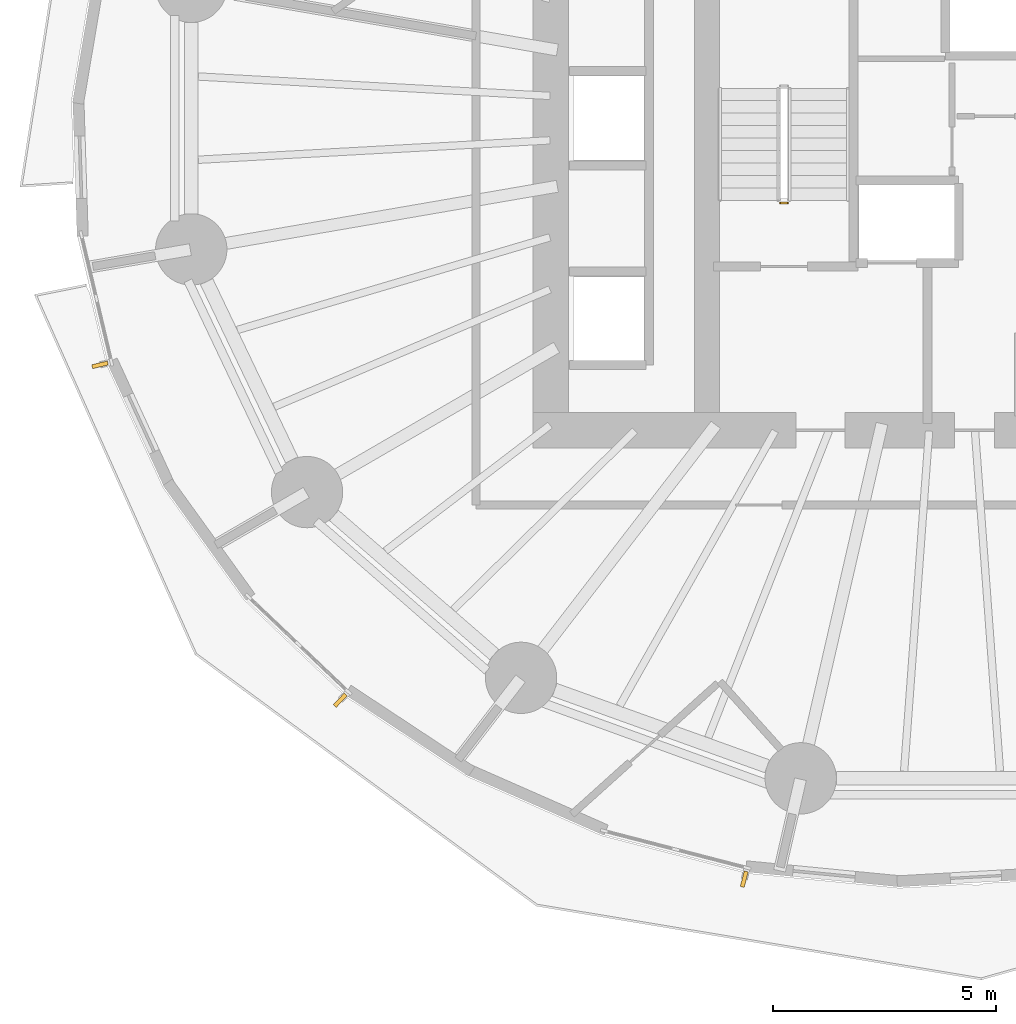
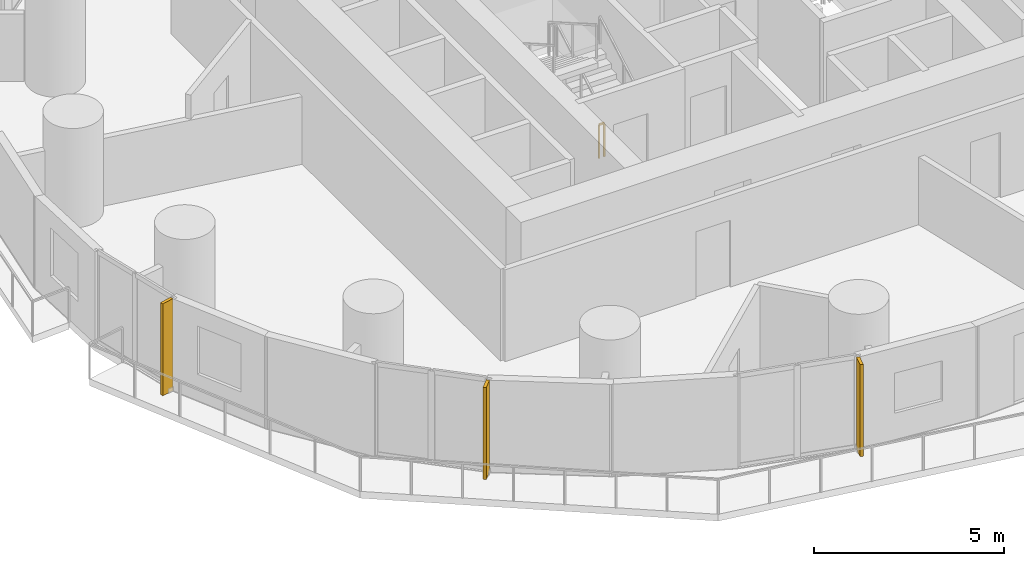
# One storey, part 11 of 14: 3 shading devices, 1 railing.
"""IFC4 building model written with IfcOpenShell, lengths in metres."""

from ifc_helpers import new_model, si_unit, direction, frame, origin, origin_2d, place, context, subcontext, project, spatial, rectangle, extrude, material, layer, layer_set, type_object, element, save


model = new_model("IFC4")

# Units and contexts
model_context = context("Model", 3, precision=1e-05, world=origin(), true_north=direction((0.0, 1.0)))
body_context = subcontext(model_context, "Body", "Model", "MODEL_VIEW")
ifc_project = project(units=[si_unit("LENGTHUNIT", "METRE"), si_unit("AREAUNIT", "SQUARE_METRE"), si_unit("VOLUMEUNIT", "CUBIC_METRE"), si_unit("PLANEANGLEUNIT", "RADIAN"), si_unit("MASSUNIT", "GRAM", prefix="KILO")], contexts=[model_context])

# Site, building, storey
site_placement = place(None, origin())
site = spatial("IfcSite", under=ifc_project, at=site_placement, CompositionType="ELEMENT")
building_placement = place(site_placement, origin())
building = spatial("IfcBuilding", under=site, at=building_placement, Name="Veldorim Arch Residences", CompositionType="ELEMENT")
storey_placement = place(building_placement, frame((0.0, 0.0, 40.800048828125)))
storey = spatial("IfcBuildingStorey", under=building, at=storey_placement, Name="L11", CompositionType="ELEMENT", Elevation=40.800048828125)

# Railing
ifc_material_1 = material(Name="Steel S355", Category="steel")
railing_type = type_object("IfcRailingType", Name="Galvanised Steel Stair Safety Guardrail 1100", PredefinedType="GUARDRAIL", material=ifc_material_1)
railing_placement = place(storey_placement, frame((28.31005859375, 22.10009765625, 0.0)))
element("IfcRailing", 1, at=railing_placement, inside=storey, type_object=railing_type, Name="L11 ST-1 stair guard 4", PredefinedType="GUARDRAIL", context=body_context, shape_type="SweptSolid", body=[
    extrude(rectangle(XDim=0.048095703125, YDim=0.048095703125, at=origin_2d()), frame((0.0, 0.0, 1.076171875), z_axis=(-1.0, 0.0, 0.0), x_axis=(0.0, -1.0, 0.0)), (0.0, 0.0, 1.0), 0.16015625),
    extrude(rectangle(XDim=0.0419921875, YDim=0.0419921875, at=origin_2d()), origin(), (0.0, 0.0, 1.0), 1.052001953125),
    extrude(rectangle(XDim=0.0419921875, YDim=0.0419921875, at=origin_2d()), frame((-0.16015625, 0.0, 0.0)), (0.0, 0.0, 1.0), 1.052001953125),
])

# Shading devices
ifc_material_2 = material(Name="Terracotta Ceramic", Category="masonry")
ifc_layer = layer(ifc_material_2, 0.090087890625, Name="Vertical Extruded Terracotta Baguette Sun-Shading Fin")
ifc_layer_set = layer_set([ifc_layer], Name="Terracotta Ceramic")
shading_device_type = type_object("IfcShadingDeviceType", Name="Vertical Extruded Terracotta Baguette Sun-Shading Fin", PredefinedType="USERDEFINED", material=ifc_layer_set)
for number, where, z_axis, x_axis, name in (
    (2, (12.887939453125, 18.4658203125, 0.0), (0.0, 0.0, 1.0), (-0.230219585439, 0.973138706701, 0.0), "L11 vertical terracotta sun-shading fin 19"),
    (3, (18.276123046875, 10.94189453125, 0.0), (0.0, 0.0, 1.0), (-0.724532846102, 0.689240273721, 0.0), "L11 vertical terracotta sun-shading fin 22"),
    (4, (27.338623046875, 6.927978515625, 0.0), (0.0, 0.0, 1.0), (-0.968191325187, 0.250211026602, 0.0), "L11 vertical terracotta sun-shading fin 25"),
):
    element("IfcShadingDevice", number, at=place(storey_placement, frame(where, z_axis=z_axis, x_axis=x_axis)), inside=storey, type_object=shading_device_type, Name=name, ObjectType="FIN", PredefinedType="USERDEFINED", context=body_context, shape_type="SweptSolid", body=[
        extrude(rectangle(XDim=0.090087890625, YDim=0.360107421875, at=origin_2d()), origin(), (0.0, 0.0, 1.0), 2.9599609375),
    ])

save(model, "model.ifc")
